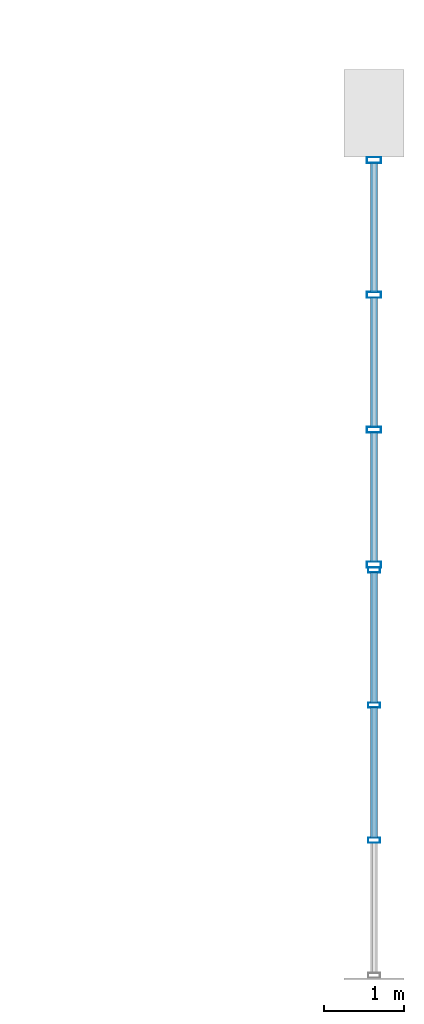
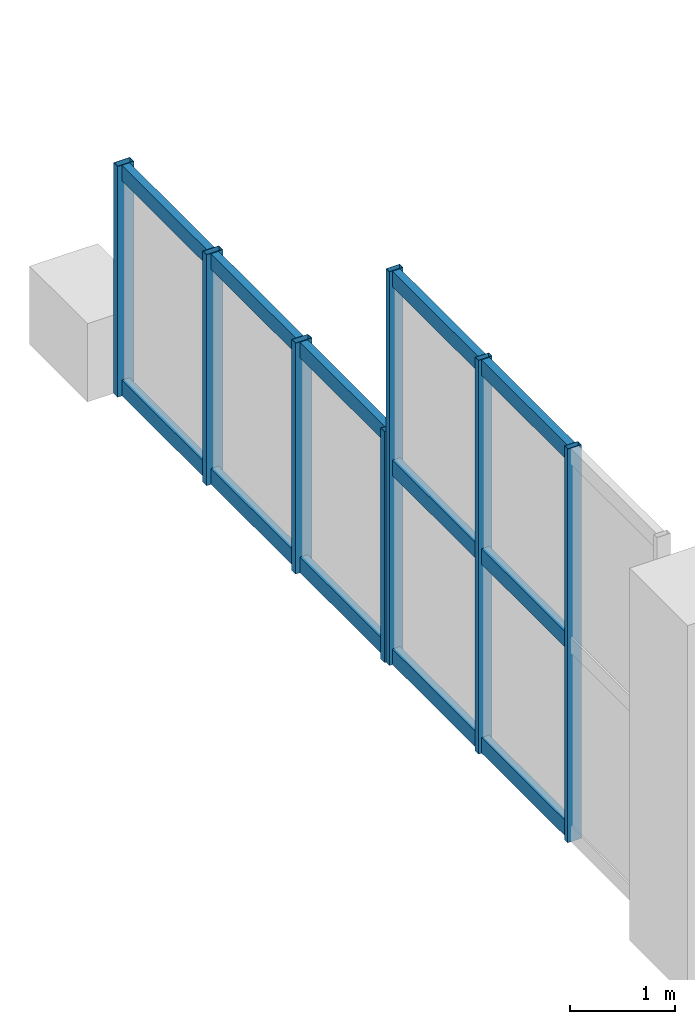
# One storey, part 12 of 28: 19 members, 2 elements without a shape of their own.
"""IFC4 building model written with IfcOpenShell, lengths in metres."""

import ifcopenshell
import ifcopenshell.guid

model = None  # the IFC model being written
_history = None  # IfcOwnerHistory: only IFC2X3 demands one
_inside = {}  # id of a spatial element -> (the spatial element, [elements in it])
_under = {}  # id of a project, library or spatial element -> (it, [spatial elements below it])
_declared = {}  # id of a project -> (the project, [libraries it declares])
_typed = {}  # id of a type object -> (the type object, [elements of that type])
_made_of = {}  # id of a material, layer set ... -> (it, [elements and type objects made of it])


def new_model(schema):
    """Start an empty IFC model of exactly this schema.

    Asked for "IFC4X3", IfcOpenShell would pick the latest addendum, in which some entities
    have other attributes; the version numbers below select the first issue.
    IFC2X3 requires an IfcOwnerHistory on every rooted entity: one is made here for all.
    """
    global model, _history
    if schema == "IFC4X3":
        model = ifcopenshell.file(schema_version=(4, 3, 0, 0))
    else:
        model = ifcopenshell.file(schema=schema)
    _inside.clear()
    _under.clear()
    _declared.clear()
    _typed.clear()
    _made_of.clear()
    _history = None
    if model.schema == "IFC2X3":
        org = make("IfcOrganization", Name="unknown")
        user = make(
            "IfcPersonAndOrganization",
            ThePerson=make("IfcPerson", FamilyName="unknown"),
            TheOrganization=org,
        )
        app = make(
            "IfcApplication",
            ApplicationDeveloper=org,
            Version="unknown",
            ApplicationFullName="unknown",
            ApplicationIdentifier="unknown",
        )
        _history = make(
            "IfcOwnerHistory",
            OwningUser=user,
            OwningApplication=app,
            ChangeAction="ADDED",
            CreationDate=0,
        )
    return model


def make(cls, **values):
    """One entity of the class cls with the attributes given. An attribute that is None is left unset."""
    return model.create_entity(
        cls, **{name: value for name, value in values.items() if value is not None}
    )


def rooted(cls, **values):
    """An entity with a GlobalId (a new one), such as an element, a storey or a relation."""
    return make(cls, GlobalId=ifcopenshell.guid.new(), OwnerHistory=_history, **values)


def si_unit(unit_type, name, prefix=None):
    """IfcSIUnit, for example si_unit("LENGTHUNIT", "METRE", prefix="MILLI")."""
    return make("IfcSIUnit", UnitType=unit_type, Prefix=prefix, Name=name)


def assignment(units):
    """IfcUnitAssignment: the units of a project."""
    return None if units is None else make("IfcUnitAssignment", Units=units)


def point(xyz):
    """IfcCartesianPoint."""
    return None if xyz is None else make("IfcCartesianPoint", Coordinates=xyz)


def direction(xyz):
    """IfcDirection."""
    return None if xyz is None else make("IfcDirection", DirectionRatios=xyz)


def frame(location, z_axis=None, x_axis=None):
    """IfcAxis2Placement3D, a coordinate frame: its origin and axes. An axis left out is left unset."""
    return make(
        "IfcAxis2Placement3D",
        Location=point(location),
        Axis=direction(z_axis),
        RefDirection=direction(x_axis),
    )


def frame_2d(location, x_axis=None):
    """IfcAxis2Placement2D, a coordinate frame in the plane: its origin and x axis."""
    return make(
        "IfcAxis2Placement2D", Location=point(location), RefDirection=direction(x_axis)
    )


def origin():
    """The frame at (0, 0, 0) with its axes left unset."""
    return frame((0.0, 0.0, 0.0))


def origin_2d():
    """The frame at (0, 0) in the plane with its x axis left unset."""
    return frame_2d((0.0, 0.0))


def place(relative_to, where):
    """IfcLocalPlacement: puts the frame where relative to a parent placement (None: the world)."""
    return make(
        "IfcLocalPlacement", PlacementRelTo=relative_to, RelativePlacement=where
    )


def context(
    kind, dimensions, precision=None, world=None, true_north=None, identifier=None
):
    """IfcGeometricRepresentationContext, for example the 3D "Model" context."""
    return make(
        "IfcGeometricRepresentationContext",
        ContextIdentifier=identifier,
        ContextType=kind,
        CoordinateSpaceDimension=dimensions,
        Precision=precision,
        WorldCoordinateSystem=world,
        TrueNorth=true_north,
    )


def subcontext(parent, identifier, kind, view, scale=None):
    """IfcGeometricRepresentationSubContext, for example "Body" below "Model"."""
    return make(
        "IfcGeometricRepresentationSubContext",
        ContextIdentifier=identifier,
        ContextType=kind,
        ParentContext=parent,
        TargetScale=scale,
        TargetView=view,
    )


def project(units=None, contexts=None):
    """IfcProject with its units and contexts."""
    return rooted(
        "IfcProject",
        Name="project",
        RepresentationContexts=contexts,
        UnitsInContext=assignment(units),
    )


def spatial(cls, under=None, at=None, **own):
    """A site, building, storey or space (cls), placed at a placement, below another one or the project."""
    s = rooted(cls, ObjectPlacement=at, **own)
    if under is not None:
        _under.setdefault(under.id(), (under, []))[1].append(s)
    return s


def profile(cls, at=None, kind="AREA", **sizes):
    """A parametric profile (cls). Its sizes go by their IFC names, for example OverallWidth=200.0."""
    return make(cls, ProfileType=kind, Position=at, **sizes)


def hollow_rectangle(**sizes):
    """IfcRectangleHollowProfileDef."""
    return profile("IfcRectangleHollowProfileDef", **sizes)


def extrude(swept, where, along, depth):
    """IfcExtrudedAreaSolid: the profile swept, set in the frame where, extruded along a direction by depth."""
    return make(
        "IfcExtrudedAreaSolid",
        SweptArea=swept,
        Position=where,
        ExtrudedDirection=direction(along),
        Depth=depth,
    )


def shape(context_of_items, identifier, shape_type, items):
    """IfcShapeRepresentation: the items that make up one representation, for example the "Body"."""
    return make(
        "IfcShapeRepresentation",
        ContextOfItems=context_of_items,
        RepresentationIdentifier=identifier,
        RepresentationType=shape_type,
        Items=items,
    )


def material(Name=None, Category=None):
    """IfcMaterial."""
    return make("IfcMaterial", Name=Name, Category=Category)


def layer(
    of_material, thickness, ventilated=None, Name=None, Category=None, Priority=None
):
    """IfcMaterialLayer: one layer of a wall or slab, of a material (None: an air gap)."""
    return make(
        "IfcMaterialLayer",
        Material=of_material,
        LayerThickness=thickness,
        IsVentilated=ventilated,
        Name=Name,
        Category=Category,
        Priority=Priority,
    )


def layer_set(layers, Name=None):
    """IfcMaterialLayerSet."""
    return make("IfcMaterialLayerSet", MaterialLayers=layers, LayerSetName=Name)


def material_profile(
    of_material, cross_section, Name=None, Category=None, Priority=None
):
    """IfcMaterialProfile: a cross section and its material."""
    return make(
        "IfcMaterialProfile",
        Name=Name,
        Material=of_material,
        Profile=cross_section,
        Priority=Priority,
        Category=Category,
    )


def profile_set(profiles, Name=None, composite=None):
    """IfcMaterialProfileSet."""
    return make(
        "IfcMaterialProfileSet",
        Name=Name,
        MaterialProfiles=profiles,
        CompositeProfile=composite,
    )


def made_of(thing, what):
    """Note that an element or type object is made of a material, layer set ...; save() writes the relation."""
    if what is not None:
        _made_of.setdefault(what.id(), (what, []))[1].append(thing)
    return thing


def type_object(cls, material=None, **own):
    """A type object (cls), such as IfcWallType, which elements share."""
    return made_of(rooted(cls, **own), material)


def element(
    cls,
    number,
    at=None,
    inside=None,
    cuts=None,
    type_object=None,
    material=None,
    context=None,
    identifier="Body",
    shape_type=None,
    held_by="IfcProductDefinitionShape",
    body=None,
    shapes=None,
    **own,
):
    """One element of the class cls, such as IfcWall. Its Tag is "e" and its number.

    at: its placement. inside: the storey or other place that contains it. cuts: it is an
    opening in that element (IfcRelVoidsElement). A single representation is given by context,
    identifier, shape_type and body (its items); several are given by shapes. held_by: the class
    of the entity that holds the representations. save() writes the other relations.
    """
    e = rooted(cls, Tag="e%d" % number, ObjectPlacement=at, **own)
    if body is not None:
        shapes = [shape(context, identifier, shape_type, body)]
    if shapes is not None:
        e.Representation = make(held_by, Representations=shapes)
    if inside is not None:
        _inside.setdefault(inside.id(), (inside, []))[1].append(e)
    if cuts is not None:
        rooted(
            "IfcRelVoidsElement", RelatingBuildingElement=cuts, RelatedOpeningElement=e
        )
    if type_object is not None:
        _typed.setdefault(type_object.id(), (type_object, []))[1].append(e)
    return made_of(e, material)


def aggregate(whole, parts):
    """IfcRelAggregates: a whole, such as a stair, and the parts it consists of."""
    return rooted("IfcRelAggregates", RelatingObject=whole, RelatedObjects=parts)


def save(model, path):
    """Write the relations noted so far, then the file.

    IfcRelAggregates (storeys below a building ...), IfcRelContainedInSpatialStructure (elements
    in a storey), IfcRelDefinesByType, IfcRelAssociatesMaterial and IfcRelDeclares: one each for
    every whole, place, type object, material and project.
    """
    for whole, parts in _under.values():
        aggregate(whole, parts)
    for where, things in _inside.values():
        rooted(
            "IfcRelContainedInSpatialStructure",
            RelatedElements=things,
            RelatingStructure=where,
        )
    for kind, things in _typed.values():
        rooted("IfcRelDefinesByType", RelatedObjects=things, RelatingType=kind)
    for what, things in _made_of.values():
        rooted("IfcRelAssociatesMaterial", RelatedObjects=things, RelatingMaterial=what)
    for by, libraries in _declared.values():
        rooted("IfcRelDeclares", RelatingContext=by, RelatedDefinitions=libraries)
    model.write(path)


model = new_model("IFC4")

# Units and contexts
model_context = context("Model", 3, precision=1e-05, world=origin(), true_north=direction((0.0, 1.0)))
body_context = subcontext(model_context, "Body", "Model", "MODEL_VIEW")
ifc_project = project(units=[si_unit("LENGTHUNIT", "METRE"), si_unit("AREAUNIT", "SQUARE_METRE"), si_unit("VOLUMEUNIT", "CUBIC_METRE"), si_unit("PLANEANGLEUNIT", "RADIAN"), si_unit("MASSUNIT", "GRAM", prefix="KILO"), si_unit("POWERUNIT", "WATT"), si_unit("THERMODYNAMICTEMPERATUREUNIT", "KELVIN")], contexts=[model_context])

# Site, building, storey
site_placement = place(None, origin())
site = spatial("IfcSite", under=ifc_project, at=site_placement, CompositionType="ELEMENT")
building_placement = place(site_placement, origin())
building = spatial("IfcBuilding", under=site, at=building_placement, Name="Kelmbourne Parkland Aquatics Centre", CompositionType="ELEMENT")
storey_placement = place(building_placement, frame((0.0, 0.0, 19.199951171875)))
storey = spatial("IfcBuildingStorey", under=building, at=storey_placement, Name="L04", CompositionType="ELEMENT", Elevation=19.199951171875)

# Curtain wall, members
ifc_material = material(Name="Thermally broken anodised aluminium framing", Category="aluminium")
ifc_layer_1 = layer(ifc_material, 0.179931640625)
ifc_layer_set_1 = layer_set([ifc_layer_1], Name="Thermally broken anodised aluminium framing")
curtain_wall_type_1 = type_object("IfcCurtainWallType", Name="CW-20", PredefinedType="NOTDEFINED", material=ifc_layer_set_1)
curtain_wall_1_placement = place(storey_placement, origin())
curtain_wall_1 = element("IfcCurtainWall", 1, at=curtain_wall_1_placement, inside=storey, type_object=curtain_wall_type_1, Name="Wave-hall clerestory curtain wall CW-L04-020", PredefinedType="NOTDEFINED")
ifc_material_profile_1 = material_profile(ifc_material, hollow_rectangle(XDim=0.06494140625, YDim=0.14990234375, WallThickness=0.00390625, at=origin_2d()), Name="CW-M 65x150")
ifc_profile_set_1 = profile_set([ifc_material_profile_1], Name="Thermally broken anodised aluminium framing")
member_type_1 = type_object("IfcMemberType", Name="MB-MUL-1", PredefinedType="MULLION", material=ifc_profile_set_1)
member_1_placement = place(storey_placement, frame((175.199951171875, 14.478759765625, 0.0), z_axis=(0.0, 0.0, 1.0), x_axis=(0.0, 1.0, 0.0)))
member_1 = element("IfcMember", 2, at=member_1_placement, type_object=member_type_1, Name="CW-L04-020 mullion 1", PredefinedType="MULLION", context=body_context, shape_type="SweptSolid", body=[
    extrude(hollow_rectangle(XDim=0.06494140625, YDim=0.14990234375, WallThickness=0.00390625, at=origin_2d()), origin(), (0.0, 0.0, 1.0), 4.5654296875),
])
member_2_placement = place(storey_placement, frame((175.199951171875, 16.173095703125, 0.0), z_axis=(0.0, 0.0, 1.0), x_axis=(0.0, 1.0, 0.0)))
member_2 = element("IfcMember", 3, at=member_2_placement, type_object=member_type_1, Name="CW-L04-020 mullion 2", PredefinedType="MULLION", context=body_context, shape_type="SweptSolid", body=[
    extrude(hollow_rectangle(XDim=0.06494140625, YDim=0.14990234375, WallThickness=0.00390625, at=origin_2d()), origin(), (0.0, 0.0, 1.0), 4.5654296875),
])
member_3_placement = place(storey_placement, frame((175.199951171875, 17.867431640625, 0.0), z_axis=(0.0, 0.0, 1.0), x_axis=(0.0, 1.0, 0.0)))
member_3 = element("IfcMember", 4, at=member_3_placement, type_object=member_type_1, Name="CW-L04-020 mullion 3", PredefinedType="MULLION", context=body_context, shape_type="SweptSolid", body=[
    extrude(hollow_rectangle(XDim=0.06494140625, YDim=0.14990234375, WallThickness=0.00390625, at=origin_2d()), origin(), (0.0, 0.0, 1.0), 4.5654296875),
])

ifc_layer_2 = layer(ifc_material, 0.179931640625)
ifc_layer_set_2 = layer_set([ifc_layer_2], Name="Thermally broken anodised aluminium framing")
curtain_wall_type_2 = type_object("IfcCurtainWallType", Name="CW-02", PredefinedType="NOTDEFINED", material=ifc_layer_set_2)
curtain_wall_2_placement = place(storey_placement, origin())
curtain_wall_2 = element("IfcCurtainWall", 5, at=curtain_wall_2_placement, inside=storey, type_object=curtain_wall_type_2, Name="Wave-hall clerestory curtain wall CW-L04-026", PredefinedType="NOTDEFINED")
ifc_material_profile_2 = material_profile(ifc_material, hollow_rectangle(XDim=0.074951171875, YDim=0.179931640625, WallThickness=0.00439453125, at=origin_2d()), Name="CW-M 75x180")
ifc_profile_set_2 = profile_set([ifc_material_profile_2], Name="Thermally broken anodised aluminium framing")
member_type_2 = type_object("IfcMemberType", Name="MB-MUL-2", PredefinedType="MULLION", material=ifc_profile_set_2)
member_4_placement = place(storey_placement, frame((175.199951171875, 17.9375, 0.0), z_axis=(0.0, 0.0, 1.0), x_axis=(0.0, 1.0, 0.0)))
member_4 = element("IfcMember", 6, at=member_4_placement, type_object=member_type_2, Name="CW-L04-026 mullion 0", PredefinedType="MULLION", context=body_context, shape_type="SweptSolid", body=[
    extrude(hollow_rectangle(XDim=0.074951171875, YDim=0.179931640625, WallThickness=0.00439453125, at=origin_2d()), origin(), (0.0, 0.0, 1.0), 2.677490234375),
])
member_5_placement = place(storey_placement, frame((175.199951171875, 19.62841796875, 0.0), z_axis=(0.0, 0.0, 1.0), x_axis=(0.0, 1.0, 0.0)))
member_5 = element("IfcMember", 7, at=member_5_placement, type_object=member_type_2, Name="CW-L04-026 mullion 1", PredefinedType="MULLION", context=body_context, shape_type="SweptSolid", body=[
    extrude(hollow_rectangle(XDim=0.074951171875, YDim=0.179931640625, WallThickness=0.00439453125, at=origin_2d()), origin(), (0.0, 0.0, 1.0), 2.677490234375),
])
member_6_placement = place(storey_placement, frame((175.199951171875, 21.319580078125, 0.0), z_axis=(0.0, 0.0, 1.0), x_axis=(0.0, 1.0, 0.0)))
member_6 = element("IfcMember", 8, at=member_6_placement, type_object=member_type_2, Name="CW-L04-026 mullion 2", PredefinedType="MULLION", context=body_context, shape_type="SweptSolid", body=[
    extrude(hollow_rectangle(XDim=0.074951171875, YDim=0.179931640625, WallThickness=0.00439453125, at=origin_2d()), origin(), (0.0, 0.0, 1.0), 2.677490234375),
])
member_7_placement = place(storey_placement, frame((175.199951171875, 23.010498046875, 0.0), z_axis=(0.0, 0.0, 1.0), x_axis=(0.0, 1.0, 0.0)))
member_7 = element("IfcMember", 9, at=member_7_placement, type_object=member_type_2, Name="CW-L04-026 mullion 3", PredefinedType="MULLION", context=body_context, shape_type="SweptSolid", body=[
    extrude(hollow_rectangle(XDim=0.074951171875, YDim=0.179931640625, WallThickness=0.00439453125, at=origin_2d()), origin(), (0.0, 0.0, 1.0), 2.677490234375),
])

# Member
ifc_material_profile_3 = material_profile(ifc_material, hollow_rectangle(XDim=0.0849609375, YDim=0.179931640625, WallThickness=0.00439453125, at=origin_2d()), Name="CW-T 85x180")
ifc_profile_set_3 = profile_set([ifc_material_profile_3], Name="Thermally broken anodised aluminium framing")
member_type_3 = type_object("IfcMemberType", Name="MB-TRN-3", PredefinedType="USERDEFINED", material=ifc_profile_set_3)
member_8_placement = place(storey_placement, frame((175.199951171875, 14.50732421875, 0.093017578125), z_axis=(0.0, 1.0, 0.0), x_axis=(-1.0, 0.0, 0.0)))
member_8 = element("IfcMember", 10, at=member_8_placement, type_object=member_type_3, Name="CW-L04-020 transom 0-1", ObjectType="TRANSOM", PredefinedType="USERDEFINED", context=body_context, shape_type="SweptSolid", body=[
    extrude(hollow_rectangle(XDim=0.0849609375, YDim=0.179931640625, WallThickness=0.00439453125, at=origin_2d()), origin(), (0.0, 0.0, 1.0), 1.637451171875),
])

member_9_placement = place(storey_placement, frame((175.199951171875, 16.20166015625, 0.093017578125), z_axis=(0.0, 1.0, 0.0), x_axis=(-1.0, 0.0, 0.0)))
member_9 = element("IfcMember", 11, at=member_9_placement, type_object=member_type_3, Name="CW-L04-020 transom 0-2", ObjectType="TRANSOM", PredefinedType="USERDEFINED", context=body_context, shape_type="SweptSolid", body=[
    extrude(hollow_rectangle(XDim=0.0849609375, YDim=0.179931640625, WallThickness=0.00439453125, at=origin_2d()), origin(), (0.0, 0.0, 1.0), 1.637451171875),
])

member_10_placement = place(storey_placement, frame((175.199951171875, 14.50732421875, 2.28271484375), z_axis=(0.0, 1.0, 0.0), x_axis=(-1.0, 0.0, 0.0)))
member_10 = element("IfcMember", 12, at=member_10_placement, type_object=member_type_3, Name="CW-L04-020 transom 1-1", ObjectType="TRANSOM", PredefinedType="USERDEFINED", context=body_context, shape_type="SweptSolid", body=[
    extrude(hollow_rectangle(XDim=0.0849609375, YDim=0.179931640625, WallThickness=0.00439453125, at=origin_2d()), origin(), (0.0, 0.0, 1.0), 1.637451171875),
])

member_11_placement = place(storey_placement, frame((175.199951171875, 16.20166015625, 2.28271484375), z_axis=(0.0, 1.0, 0.0), x_axis=(-1.0, 0.0, 0.0)))
member_11 = element("IfcMember", 13, at=member_11_placement, type_object=member_type_3, Name="CW-L04-020 transom 1-2", ObjectType="TRANSOM", PredefinedType="USERDEFINED", context=body_context, shape_type="SweptSolid", body=[
    extrude(hollow_rectangle(XDim=0.0849609375, YDim=0.179931640625, WallThickness=0.00439453125, at=origin_2d()), origin(), (0.0, 0.0, 1.0), 1.637451171875),
])

member_12_placement = place(storey_placement, frame((175.199951171875, 14.50732421875, 4.472412109375), z_axis=(0.0, 1.0, 0.0), x_axis=(-1.0, 0.0, 0.0)))
member_12 = element("IfcMember", 14, at=member_12_placement, type_object=member_type_3, Name="CW-L04-020 transom 2-1", ObjectType="TRANSOM", PredefinedType="USERDEFINED", context=body_context, shape_type="SweptSolid", body=[
    extrude(hollow_rectangle(XDim=0.0849609375, YDim=0.179931640625, WallThickness=0.00439453125, at=origin_2d()), origin(), (0.0, 0.0, 1.0), 1.637451171875),
])

member_13_placement = place(storey_placement, frame((175.199951171875, 16.20166015625, 4.472412109375), z_axis=(0.0, 1.0, 0.0), x_axis=(-1.0, 0.0, 0.0)))
member_13 = element("IfcMember", 15, at=member_13_placement, type_object=member_type_3, Name="CW-L04-020 transom 2-2", ObjectType="TRANSOM", PredefinedType="USERDEFINED", context=body_context, shape_type="SweptSolid", body=[
    extrude(hollow_rectangle(XDim=0.0849609375, YDim=0.179931640625, WallThickness=0.00439453125, at=origin_2d()), origin(), (0.0, 0.0, 1.0), 1.637451171875),
])

aggregate(curtain_wall_1, [member_1, member_2, member_3, member_8, member_9, member_10, member_11, member_12, member_13])

member_14_placement = place(storey_placement, frame((175.199951171875, 17.970947265625, 0.093017578125), z_axis=(0.0, 1.0, 0.0), x_axis=(-1.0, 0.0, 0.0)))
member_14 = element("IfcMember", 16, at=member_14_placement, type_object=member_type_3, Name="CW-L04-026 transom 0-0", ObjectType="TRANSOM", PredefinedType="USERDEFINED", context=body_context, shape_type="SweptSolid", body=[
    extrude(hollow_rectangle(XDim=0.0849609375, YDim=0.179931640625, WallThickness=0.00439453125, at=origin_2d()), origin(), (0.0, 0.0, 1.0), 1.6240234375),
])

member_15_placement = place(storey_placement, frame((175.199951171875, 19.662109375, 0.093017578125), z_axis=(0.0, 1.0, 0.0), x_axis=(-1.0, 0.0, 0.0)))
member_15 = element("IfcMember", 17, at=member_15_placement, type_object=member_type_3, Name="CW-L04-026 transom 0-1", ObjectType="TRANSOM", PredefinedType="USERDEFINED", context=body_context, shape_type="SweptSolid", body=[
    extrude(hollow_rectangle(XDim=0.0849609375, YDim=0.179931640625, WallThickness=0.00439453125, at=origin_2d()), origin(), (0.0, 0.0, 1.0), 1.623779296875),
])

member_16_placement = place(storey_placement, frame((175.199951171875, 21.35302734375, 0.093017578125), z_axis=(0.0, 1.0, 0.0), x_axis=(-1.0, 0.0, 0.0)))
member_16 = element("IfcMember", 18, at=member_16_placement, type_object=member_type_3, Name="CW-L04-026 transom 0-2", ObjectType="TRANSOM", PredefinedType="USERDEFINED", context=body_context, shape_type="SweptSolid", body=[
    extrude(hollow_rectangle(XDim=0.0849609375, YDim=0.179931640625, WallThickness=0.00439453125, at=origin_2d()), origin(), (0.0, 0.0, 1.0), 1.6240234375),
])

member_17_placement = place(storey_placement, frame((175.199951171875, 17.970947265625, 2.58447265625), z_axis=(0.0, 1.0, 0.0), x_axis=(-1.0, 0.0, 0.0)))
member_17 = element("IfcMember", 19, at=member_17_placement, type_object=member_type_3, Name="CW-L04-026 transom 1-0", ObjectType="TRANSOM", PredefinedType="USERDEFINED", context=body_context, shape_type="SweptSolid", body=[
    extrude(hollow_rectangle(XDim=0.0849609375, YDim=0.179931640625, WallThickness=0.00439453125, at=origin_2d()), origin(), (0.0, 0.0, 1.0), 1.6240234375),
])

member_18_placement = place(storey_placement, frame((175.199951171875, 19.662109375, 2.58447265625), z_axis=(0.0, 1.0, 0.0), x_axis=(-1.0, 0.0, 0.0)))
member_18 = element("IfcMember", 20, at=member_18_placement, type_object=member_type_3, Name="CW-L04-026 transom 1-1", ObjectType="TRANSOM", PredefinedType="USERDEFINED", context=body_context, shape_type="SweptSolid", body=[
    extrude(hollow_rectangle(XDim=0.0849609375, YDim=0.179931640625, WallThickness=0.00439453125, at=origin_2d()), origin(), (0.0, 0.0, 1.0), 1.623779296875),
])

member_19_placement = place(storey_placement, frame((175.199951171875, 21.35302734375, 2.58447265625), z_axis=(0.0, 1.0, 0.0), x_axis=(-1.0, 0.0, 0.0)))
member_19 = element("IfcMember", 21, at=member_19_placement, type_object=member_type_3, Name="CW-L04-026 transom 1-2", ObjectType="TRANSOM", PredefinedType="USERDEFINED", context=body_context, shape_type="SweptSolid", body=[
    extrude(hollow_rectangle(XDim=0.0849609375, YDim=0.179931640625, WallThickness=0.00439453125, at=origin_2d()), origin(), (0.0, 0.0, 1.0), 1.6240234375),
])

aggregate(curtain_wall_2, [member_4, member_5, member_6, member_7, member_14, member_15, member_16, member_17, member_18, member_19])

save(model, "model.ifc")
